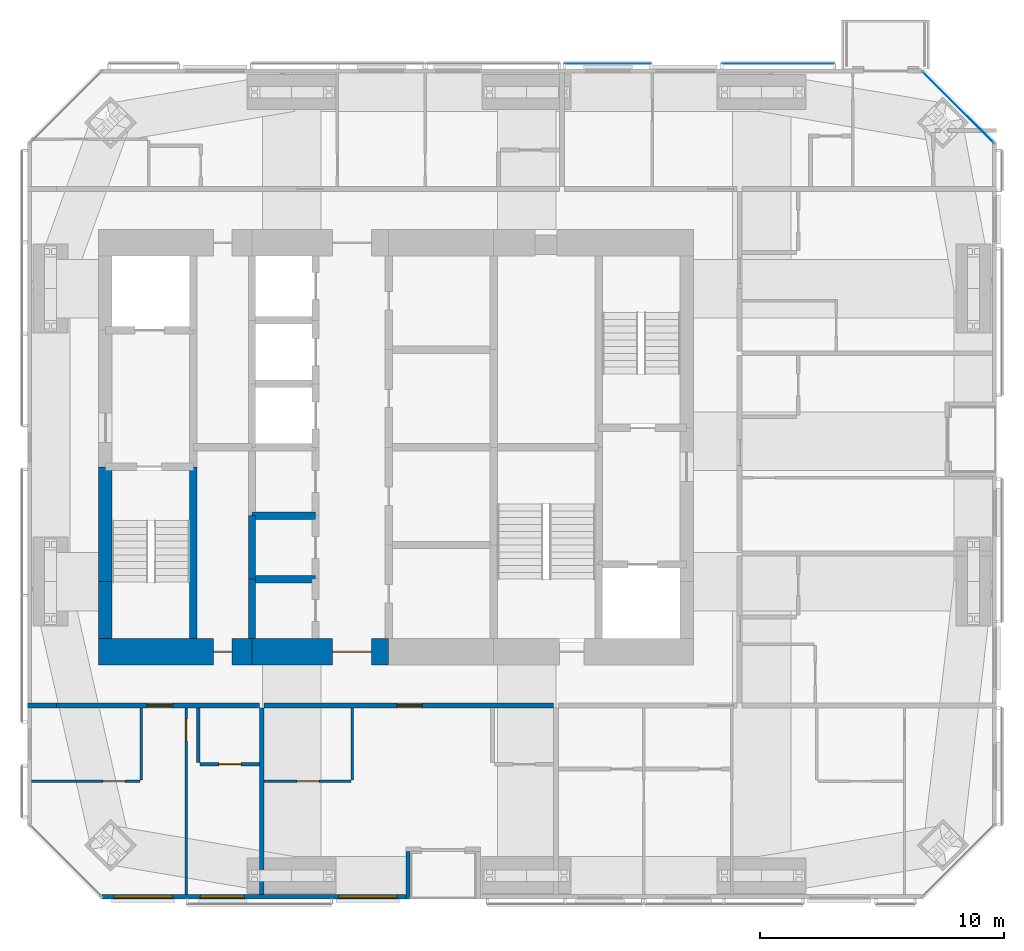
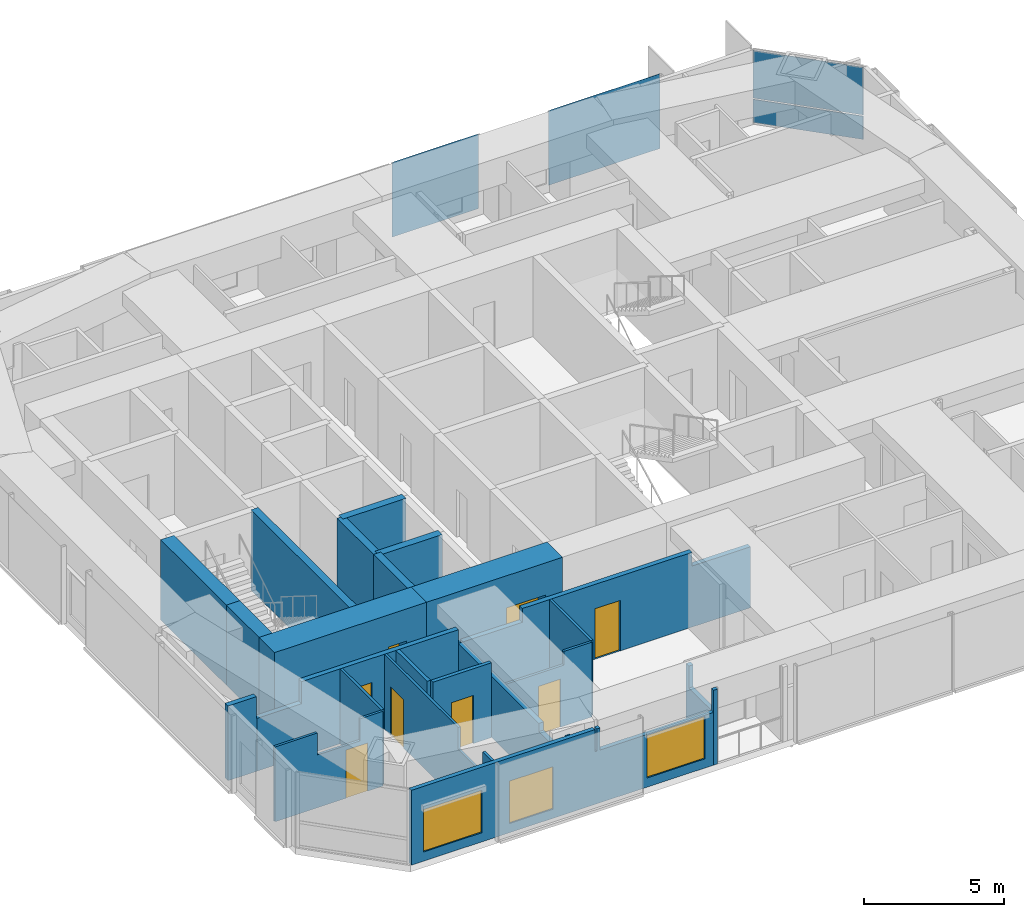
# One storey, part 13 of 19: 22 walls, 8 doors, 4 plates, 3 windows, 11 openings, 3 elements without a shape of their own.
"""IFC4 building model written with IfcOpenShell, lengths in metres."""

from ifc_helpers import new_model, si_unit, direction, frame, frame_2d, origin, origin_2d, place, context, subcontext, project, spatial, polyline, rectangle, outline, extrude, material, layer, layer_set, constituent, constituent_set, type_object, element, fill, aggregate, save


model = new_model("IFC4")

# Units and contexts
model_context = context("Model", 3, precision=1e-05, world=origin(), true_north=direction((0.0, 1.0)))
body_context = subcontext(model_context, "Body", "Model", "MODEL_VIEW")
ifc_project = project(units=[si_unit("LENGTHUNIT", "METRE"), si_unit("AREAUNIT", "SQUARE_METRE"), si_unit("VOLUMEUNIT", "CUBIC_METRE"), si_unit("PLANEANGLEUNIT", "RADIAN"), si_unit("MASSUNIT", "GRAM", prefix="KILO")], contexts=[model_context])

# Site, building, storey
site_placement = place(None, origin())
site = spatial("IfcSite", under=ifc_project, at=site_placement, CompositionType="ELEMENT")
building_placement = place(site_placement, origin())
building = spatial("IfcBuilding", under=site, at=building_placement, Name="Jalousie Tower", CompositionType="ELEMENT")
storey_placement = place(building_placement, frame((0.0, 0.0, 217.949951171875)))
storey = spatial("IfcBuildingStorey", under=building, at=storey_placement, Name="L59", CompositionType="ELEMENT", Elevation=217.949951171875)

# Curtain wall, plates
ifc_material_1 = material(Name="Aluminium curtain wall", Category="aluminium")
curtain_wall_type_1 = type_object("IfcCurtainWallType", Name="CORNER WINDOW WALL", PredefinedType="USERDEFINED", material=ifc_material_1)
curtain_wall_1_placement = place(storey_placement, origin())
curtain_wall_1 = element("IfcCurtainWall", 1, at=curtain_wall_1_placement, inside=storey, type_object=curtain_wall_type_1, Name="Corner Window Wall L59 4", ObjectType="CORNER WINDOW WALL", PredefinedType="USERDEFINED")
ifc_material_2 = material(Name="Laminated impact-rated spandrel glass", Category="glass")
ifc_layer_1 = layer(ifc_material_2, 0.028076171875)
ifc_layer_set_1 = layer_set([ifc_layer_1], Name="Laminated impact-rated spandrel glass")
plate_type_1 = type_object("IfcPlateType", Name="CORNER WINDOW WALL PANEL", PredefinedType="CURTAIN_PANEL", material=ifc_layer_set_1)
plate_1_placement = place(storey_placement, frame((54.9306640625, 32.4306640625, 0.06005859375), z_axis=(0.0, 0.0, 1.0), x_axis=(-0.707106781187, 0.707106781187, 0.0)))
plate_1 = element("IfcPlate", 2, at=plate_1_placement, type_object=plate_type_1, Name="CW-C panel 1.1", PredefinedType="CURTAIN_PANEL", context=body_context, shape_type="SweptSolid", body=[
    extrude(rectangle(XDim=4.071533203125, YDim=0.028076171875, at=origin_2d()), origin(), (0.0, 0.0, 1.0), 1.010009765625),
])
plate_2_placement = place(storey_placement, frame((54.9306640625, 32.4306640625, 1.1298828125), z_axis=(0.0, 0.0, 1.0), x_axis=(-0.707106781187, 0.707106781187, 0.0)))
plate_2 = element("IfcPlate", 3, at=plate_2_placement, type_object=plate_type_1, Name="CW-C panel 1.2", PredefinedType="CURTAIN_PANEL", context=body_context, shape_type="SweptSolid", body=[
    extrude(rectangle(XDim=4.071533203125, YDim=0.028076171875, at=origin_2d()), origin(), (0.0, 0.0, 1.0), 2.070068359375),
])
aggregate(curtain_wall_1, [plate_1, plate_2])

# Curtain wall, plate
ifc_material_3 = material(Name="Perforated aluminium sheet", Category="aluminium")
curtain_wall_type_2 = type_object("IfcCurtainWallType", Name="SOLAR SCREEN SS-2", PredefinedType="USERDEFINED", material=ifc_material_3)
curtain_wall_2_placement = place(storey_placement, origin())
curtain_wall_2 = element("IfcCurtainWall", 4, at=curtain_wall_2_placement, inside=storey, type_object=curtain_wall_type_2, Name="Solar screen L59", ObjectType="SOLAR SCREEN SS-2", PredefinedType="USERDEFINED")
ifc_material_4 = material(Name="Perforated aluminium sheet", Category="aluminium")
ifc_layer_2 = layer(ifc_material_4, 0.006103515625)
ifc_layer_set_2 = layer_set([ifc_layer_2], Name="Perforated aluminium sheet")
plate_type_2 = type_object("IfcPlateType", Name="SOLAR SCREEN SS-2 PANEL", PredefinedType="CURTAIN_PANEL", material=ifc_layer_set_2)
plate_3_placement = place(storey_placement, frame((47.54931640625, 34.201171875, 0.0), z_axis=(0.0, 0.0, 1.0), x_axis=(-1.0, 0.0, 0.0)))
plate_3 = element("IfcPlate", 5, at=plate_3_placement, type_object=plate_type_2, Name="SS2 perforated panel 1", PredefinedType="CURTAIN_PANEL", context=body_context, shape_type="SweptSolid", body=[
    extrude(rectangle(XDim=4.5986328125, YDim=0.006103515625, at=origin_2d()), origin(), (0.0, 0.0, 1.0), 3.260009765625),
])
aggregate(curtain_wall_2, [plate_3])

curtain_wall_3_placement = place(storey_placement, origin())
curtain_wall_3 = element("IfcCurtainWall", 6, at=curtain_wall_3_placement, inside=storey, type_object=curtain_wall_type_2, Name="Solar screen L59", ObjectType="SOLAR SCREEN SS-2", PredefinedType="USERDEFINED")
plate_4_placement = place(storey_placement, frame((40.574951171875, 34.201171875, 0.0), z_axis=(0.0, 0.0, 1.0), x_axis=(-1.0, 0.0, 0.0)))
plate_4 = element("IfcPlate", 7, at=plate_4_placement, type_object=plate_type_2, Name="SS2 perforated panel 1", PredefinedType="CURTAIN_PANEL", context=body_context, shape_type="SweptSolid", body=[
    extrude(rectangle(XDim=3.550048828125, YDim=0.006103515625, at=origin_2d()), origin(), (0.0, 0.0, 1.0), 3.260009765625),
])
aggregate(curtain_wall_3, [plate_4])

# Wall, opening, door
ifc_material_5 = material(Name="Concrete block ASTM C90", Category="concrete")
ifc_constituent_1 = constituent(ifc_material_5, Name="Body")
ifc_material_6 = material(Name="Render")
ifc_constituent_2 = constituent(ifc_material_6, Name="Finish")
ifc_constituent_set_1 = constituent_set(constituents=[ifc_constituent_1, ifc_constituent_2])
wall_type_1 = type_object("IfcWallType", Name="BATHROOM WALL 150", PredefinedType="PLUMBINGWALL", material=ifc_constituent_set_1)
wall_1_placement = place(storey_placement, frame((23.875, 5.52490234375, 0.0), z_axis=(0.0, 0.0, 1.0), x_axis=(1.0, 0.0, 0.0)))
wall_1 = element("IfcWall", 8, at=wall_1_placement, inside=storey, type_object=wall_type_1, Name="Bathroom Wall 150 L59", PredefinedType="PLUMBINGWALL", context=body_context, shape_type="SweptSolid", body=[
    extrude(rectangle(XDim=2.425048828125, YDim=0.14990234375, at=frame_2d((1.21240234375, 0.0))), origin(), (0.0, 0.0, 1.0), 3.260009765625),
])
opening_1_placement = place(wall_1_placement, frame((0.77490234375, 0.0, 0.0)))
opening_1 = element("IfcOpeningElement", 9, at=opening_1_placement, cuts=wall_1, Name="Opening D3", PredefinedType="OPENING", context=body_context, shape_type="SweptSolid", body=[
    extrude(rectangle(XDim=0.89990234375, YDim=2.10009765625, at=frame_2d((0.449951171875, 1.050048828125))), frame((0.0, 0.0849609375, 0.0), z_axis=(0.0, -1.0, 0.0), x_axis=(1.0, 0.0, 0.0)), (0.0, 0.0, 1.0), 0.169921875),
])
ifc_material_7 = material(Name="Timber door", Category="wood")
door_type_1 = type_object("IfcDoorType", Name="BATHROOM DOOR 900", OperationType="SINGLE_SWING_LEFT", PredefinedType="DOOR", material=ifc_material_7)
door_1_placement = place(opening_1_placement, origin())
door_1 = element("IfcDoor", 10, at=door_1_placement, inside=storey, type_object=door_type_1, Name="Apartment 5901 bathroom door", OperationType="SINGLE_SWING_RIGHT", OverallHeight=2.10009765625, OverallWidth=0.89990234375, PredefinedType="DOOR", context=body_context, shape_type="SweptSolid", body=[
    extrude(rectangle(XDim=0.89990234375, YDim=2.10009765625, at=frame_2d((0.449951171875, 1.050048828125))), frame((0.0, 0.02490234375, 0.0), z_axis=(0.0, -1.0, 0.0), x_axis=(1.0, 0.0, 0.0)), (0.0, 0.0, 1.0), 0.050048828125),
])
fill(opening_1, door_1)

# Wall
wall_2_placement = place(storey_placement, frame((23.800048828125, 5.60009765625, 0.0), z_axis=(0.0, 0.0, 1.0), x_axis=(0.0, 1.0, 0.0)))
element("IfcWall", 11, at=wall_2_placement, inside=storey, type_object=wall_type_1, Name="Bathroom Wall 150 L59", PredefinedType="PLUMBINGWALL", context=body_context, shape_type="SweptSolid", body=[
    extrude(rectangle(XDim=2.224853515625, YDim=0.14990234375, at=frame_2d((1.1123046875, 0.0))), origin(), (0.0, 0.0, 1.0), 3.260009765625),
])

# Wall, opening, door
ifc_material_8 = material(Name="Concrete f'c 120 MPa", Category="concrete")
ifc_layer_3 = layer(ifc_material_8, 1.10009765625)
ifc_layer_set_3 = layer_set([ifc_layer_3], Name="Concrete f'c 120 MPa")
wall_type_2 = type_object("IfcWallType", Name="CORE WALL 1100", PredefinedType="SHEAR", material=ifc_layer_set_3)
wall_3_placement = place(storey_placement, frame((19.72509765625, 10.125, 0.0), z_axis=(0.0, 0.0, 1.0), x_axis=(1.0, 0.0, 0.0)))
wall_3 = element("IfcWall", 12, at=wall_3_placement, inside=storey, type_object=wall_type_2, Name="Core wall SA L59", PredefinedType="SHEAR", context=body_context, shape_type="SweptSolid", body=[
    extrude(rectangle(XDim=6.27490234375, YDim=1.10009765625, at=frame_2d((3.137451171875, 0.0))), origin(), (0.0, 0.0, 1.0), 3.5),
])
opening_2_placement = place(wall_3_placement, frame((4.699951171875, 0.0, 0.0)))
opening_2 = element("IfcOpeningElement", 13, at=opening_2_placement, cuts=wall_3, Name="Opening D16", PredefinedType="OPENING", context=body_context, shape_type="SweptSolid", body=[
    extrude(rectangle(XDim=0.75, YDim=2.10009765625, at=frame_2d((0.375, 1.050048828125))), frame((0.0, 0.56005859375, 0.0), z_axis=(0.0, -1.0, 0.0), x_axis=(1.0, 0.0, 0.0)), (0.0, 0.0, 1.0), 1.1201171875),
])
ifc_material_9 = material(Name="Steel fire door", Category="steel")
door_type_2 = type_object("IfcDoorType", Name="RISER DOOR 750", OperationType="SINGLE_SWING_LEFT", PredefinedType="DOOR", material=ifc_material_9)
door_2_placement = place(opening_2_placement, origin())
door_2 = element("IfcDoor", 14, at=door_2_placement, inside=storey, type_object=door_type_2, Name="South riser door", OperationType="SINGLE_SWING_RIGHT", OverallHeight=2.10009765625, OverallWidth=0.75, PredefinedType="DOOR", context=body_context, shape_type="SweptSolid", body=[
    extrude(rectangle(XDim=0.75, YDim=2.10009765625, at=frame_2d((0.375, 1.050048828125))), frame((0.0, 0.02490234375, 0.0), z_axis=(0.0, -1.0, 0.0), x_axis=(1.0, 0.0, 0.0)), (0.0, 0.0, 1.0), 0.050048828125),
])
fill(opening_2, door_2)

wall_4_placement = place(storey_placement, frame((26.0, 10.125, 0.0), z_axis=(0.0, 0.0, 1.0), x_axis=(1.0, 0.0, 0.0)))
wall_4 = element("IfcWall", 15, at=wall_4_placement, inside=storey, type_object=wall_type_2, Name="Core wall SB L59", PredefinedType="SHEAR", context=body_context, shape_type="SweptSolid", body=[
    extrude(rectangle(XDim=5.60009765625, YDim=1.10009765625, at=frame_2d((2.800048828125, 0.0))), origin(), (0.0, 0.0, 1.0), 3.5),
])
opening_3_placement = place(wall_4_placement, frame((3.300048828125, 0.0, 0.0)))
opening_3 = element("IfcOpeningElement", 16, at=opening_3_placement, cuts=wall_4, Name="Opening D15", PredefinedType="OPENING", context=body_context, shape_type="SweptSolid", body=[
    extrude(rectangle(XDim=1.60009765625, YDim=2.10009765625, at=frame_2d((0.800048828125, 1.050048828125))), frame((0.0, 0.56005859375, 0.0), z_axis=(0.0, -1.0, 0.0), x_axis=(1.0, 0.0, 0.0)), (0.0, 0.0, 1.0), 1.1201171875),
])
ifc_material_10 = material(Name="Steel fire door", Category="steel")
door_type_3 = type_object("IfcDoorType", Name="LIFT LOBBY DOOR 1600", OperationType="DOUBLE_DOOR_SINGLE_SWING", PredefinedType="DOOR", material=ifc_material_10)
door_3_placement = place(opening_3_placement, origin())
door_3 = element("IfcDoor", 17, at=door_3_placement, inside=storey, type_object=door_type_3, Name="Lift lobby south door", OperationType="DOUBLE_DOOR_SINGLE_SWING", OverallHeight=2.10009765625, OverallWidth=1.60009765625, PredefinedType="DOOR", context=body_context, shape_type="SweptSolid", body=[
    extrude(rectangle(XDim=1.60009765625, YDim=2.10009765625, at=frame_2d((0.800048828125, 1.050048828125))), frame((0.0, 0.02490234375, 0.0), z_axis=(0.0, -1.0, 0.0), x_axis=(1.0, 0.0, 0.0)), (0.0, 0.0, 1.0), 0.050048828125),
])
fill(opening_3, door_3)

# Walls
ifc_material_11 = material(Name="Concrete f'c 120 MPa", Category="concrete")
ifc_layer_4 = layer(ifc_material_11, 0.300048828125)
ifc_layer_set_4 = layer_set([ifc_layer_4], Name="Concrete f'c 120 MPa")
wall_type_3 = type_object("IfcWallType", Name="CORE WALL 300", PredefinedType="SHEAR", material=ifc_layer_set_4)
wall_5_placement = place(storey_placement, frame((23.60009765625, 10.675048828125, 0.0), z_axis=(0.0, 0.0, 1.0), x_axis=(0.0, 1.0, 0.0)))
element("IfcWall", 18, at=wall_5_placement, inside=storey, type_object=wall_type_3, Name="Core wall X23.6A L59", PredefinedType="SHEAR", context=body_context, shape_type="SweptSolid", body=[
    extrude(rectangle(XDim=7.02490234375, YDim=0.300048828125, at=frame_2d((3.512451171875, 0.0))), origin(), (0.0, 0.0, 1.0), 3.5),
])
wall_6_placement = place(storey_placement, frame((26.0, 10.675048828125, 0.0), z_axis=(0.0, 0.0, 1.0), x_axis=(0.0, 1.0, 0.0)))
element("IfcWall", 19, at=wall_6_placement, inside=storey, type_object=wall_type_3, Name="Core wall X26A L59", PredefinedType="SHEAR", context=body_context, shape_type="SweptSolid", body=[
    extrude(rectangle(XDim=2.425048828125, YDim=0.300048828125, at=frame_2d((1.21240234375, 0.0))), origin(), (0.0, 0.0, 1.0), 3.5),
])
wall_7_placement = place(storey_placement, frame((26.0, 13.10009765625, 0.0), z_axis=(0.0, 0.0, 1.0), x_axis=(0.0, 1.0, 0.0)))
element("IfcWall", 20, at=wall_7_placement, inside=storey, type_object=wall_type_3, Name="Core wall X26B L59", PredefinedType="SHEAR", context=body_context, shape_type="SweptSolid", body=[
    extrude(rectangle(XDim=2.599853515625, YDim=0.300048828125, at=frame_2d((1.2998046875, 0.0))), origin(), (0.0, 0.0, 1.0), 3.5),
])
for number, where, z_axis, x_axis, name in (
    (21, (26.0, 13.10009765625, 0.0), (0.0, 0.0, 1.0), (1.0, 0.0, 0.0), "Core wall Y26-13.1 L59"),
    (22, (26.0, 15.699951171875, 0.0), (0.0, 0.0, 1.0), (1.0, 0.0, 0.0), "Core wall Y26-15.7 L59"),
):
    element("IfcWall", number, at=place(storey_placement, frame(where, z_axis=z_axis, x_axis=x_axis)), inside=storey, type_object=wall_type_3, Name=name, PredefinedType="SHEAR", context=body_context, shape_type="SweptSolid", body=[
        extrude(rectangle(XDim=2.60009765625, YDim=0.300048828125, at=frame_2d((1.300048828125, 0.0))), origin(), (0.0, 0.0, 1.0), 3.5),
    ])
ifc_material_12 = material(Name="Concrete f'c 120 MPa", Category="concrete")
ifc_layer_5 = layer(ifc_material_12, 0.550048828125)
ifc_layer_set_5 = layer_set([ifc_layer_5], Name="Concrete f'c 120 MPa")
wall_type_4 = type_object("IfcWallType", Name="CORE WALL 550", PredefinedType="SHEAR", material=ifc_layer_set_5)
wall_8_placement = place(storey_placement, frame((20.0, 17.699951171875, 0.0), z_axis=(0.0, 0.0, 1.0), x_axis=(0.0, -1.0, 0.0)))
element("IfcWall", 23, at=wall_8_placement, inside=storey, type_object=wall_type_4, Name="Core wall WC L59", PredefinedType="SHEAR", context=body_context, shape_type="SweptSolid", body=[
    extrude(rectangle(XDim=4.699951171875, YDim=0.550048828125, at=frame_2d((2.35009765625, 0.0))), origin(), (0.0, 0.0, 1.0), 3.5),
])
wall_9_placement = place(storey_placement, frame((20.0, 13.0, 0.0), z_axis=(0.0, 0.0, 1.0), x_axis=(0.0, -1.0, 0.0)))
element("IfcWall", 24, at=wall_9_placement, inside=storey, type_object=wall_type_4, Name="Core wall WD L59", PredefinedType="SHEAR", context=body_context, shape_type="SweptSolid", body=[
    extrude(rectangle(XDim=2.324951171875, YDim=0.550048828125, at=frame_2d((1.16259765625, 0.0))), origin(), (0.0, 0.0, 1.0), 3.5),
])

# Wall, opening, door
ifc_material_13 = material(Name="Concrete block ASTM C90", Category="concrete")
ifc_constituent_3 = constituent(ifc_material_13, Name="Body")
ifc_material_14 = material(Name="Render")
ifc_constituent_4 = constituent(ifc_material_14, Name="Finish")
ifc_constituent_set_2 = constituent_set(constituents=[ifc_constituent_3, ifc_constituent_4])
wall_type_5 = type_object("IfcWallType", Name="CORRIDOR WALL 200", PredefinedType="PARTITIONING", material=ifc_constituent_set_2)
wall_10_placement = place(storey_placement, frame((18.0, 7.925048828125, 0.0), z_axis=(0.0, 0.0, 1.0), x_axis=(1.0, 0.0, 0.0)))
wall_10 = element("IfcWall", 25, at=wall_10_placement, inside=storey, type_object=wall_type_5, Name="Corridor Wall 200 L59", PredefinedType="PARTITIONING", context=body_context, shape_type="SweptSolid", body=[
    extrude(outline(polyline([(0.0, 0.0), (8.300048828125, 0.0), (8.300048828125, 3.260009765625), (1.838623046875, 3.260009765625), (1.838623046875, 2.300048828125), (0.0, 2.300048828125), (0.0, 3.260009765625), (0.0, 0.0)])), frame((0.0, 0.10009765625, 0.0), z_axis=(0.0, -1.0, 0.0), x_axis=(1.0, 0.0, 0.0)), (0.0, 0.0, 1.0), 0.199951171875),
])
opening_4_placement = place(wall_10_placement, frame((3.699951171875, 0.0, 0.0)))
opening_4 = element("IfcOpeningElement", 26, at=opening_4_placement, cuts=wall_10, Name="Opening D1", PredefinedType="OPENING", context=body_context, shape_type="SweptSolid", body=[
    extrude(rectangle(XDim=1.050048828125, YDim=2.199951171875, at=frame_2d((0.52490234375, 1.10009765625))), frame((0.0, 0.10986328125, 0.0), z_axis=(0.0, -1.0, 0.0), x_axis=(1.0, 0.0, 0.0)), (0.0, 0.0, 1.0), 0.219970703125),
])
ifc_material_15 = material(Name="Timber fire door", Category="wood")
door_type_4 = type_object("IfcDoorType", Name="APARTMENT ENTRANCE DOOR 1050", OperationType="SINGLE_SWING_LEFT", PredefinedType="DOOR", material=ifc_material_15)
door_4_placement = place(opening_4_placement, frame((1.050048828125, 0.0, 0.0), z_axis=(0.0, 0.0, 1.0), x_axis=(-1.0, 0.0, 0.0)))
door_4 = element("IfcDoor", 27, at=door_4_placement, inside=storey, type_object=door_type_4, Name="Apartment 5901 entrance", OperationType="SINGLE_SWING_RIGHT", OverallHeight=2.199951171875, OverallWidth=1.050048828125, PredefinedType="DOOR", context=body_context, shape_type="SweptSolid", body=[
    extrude(rectangle(XDim=1.050048828125, YDim=2.199951171875, at=frame_2d((0.52490234375, 1.10009765625))), frame((0.0, 0.02490234375, 0.0), z_axis=(0.0, -1.0, 0.0), x_axis=(1.0, 0.0, 0.0)), (0.0, 0.0, 1.0), 0.050048828125),
])
fill(opening_4, door_4)

wall_11_placement = place(storey_placement, frame((26.5, 7.925048828125, 0.0), z_axis=(0.0, 0.0, 1.0), x_axis=(1.0, 0.0, 0.0)))
wall_11 = element("IfcWall", 28, at=wall_11_placement, inside=storey, type_object=wall_type_5, Name="Corridor Wall 200 L59", PredefinedType="PARTITIONING", context=body_context, shape_type="SweptSolid", body=[
    extrude(outline(polyline([(0.0, 0.0), (11.85009765625, 0.0), (11.85009765625, 3.260009765625), (11.85009765625, 2.66015625), (9.43994140625, 2.66015625), (9.43994140625, 3.260009765625), (2.43505859375, 3.260009765625), (2.43505859375, 2.66015625), (0.0, 2.66015625), (0.0, 3.260009765625), (0.0, 0.0)])), frame((0.0, 0.10009765625, 0.0), z_axis=(0.0, -1.0, 0.0), x_axis=(1.0, 0.0, 0.0)), (0.0, 0.0, 1.0), 0.199951171875),
])
opening_5_placement = place(wall_11_placement, frame((5.425048828125, 0.0, 0.0)))
opening_5 = element("IfcOpeningElement", 29, at=opening_5_placement, cuts=wall_11, Name="Opening D1", PredefinedType="OPENING", context=body_context, shape_type="SweptSolid", body=[
    extrude(rectangle(XDim=1.050048828125, YDim=2.199951171875, at=frame_2d((0.52490234375, 1.10009765625))), frame((0.0, 0.10986328125, 0.0), z_axis=(0.0, -1.0, 0.0), x_axis=(1.0, 0.0, 0.0)), (0.0, 0.0, 1.0), 0.219970703125),
])
door_5_placement = place(opening_5_placement, frame((1.050048828125, 0.0, 0.0), z_axis=(0.0, 0.0, 1.0), x_axis=(-1.0, 0.0, 0.0)))
door_5 = element("IfcDoor", 30, at=door_5_placement, inside=storey, type_object=door_type_4, Name="Apartment 5902 entrance", OperationType="SINGLE_SWING_RIGHT", OverallHeight=2.199951171875, OverallWidth=1.050048828125, PredefinedType="DOOR", context=body_context, shape_type="SweptSolid", body=[
    extrude(rectangle(XDim=1.050048828125, YDim=2.199951171875, at=frame_2d((0.52490234375, 1.10009765625))), frame((0.0, 0.02490234375, 0.0), z_axis=(0.0, -1.0, 0.0), x_axis=(1.0, 0.0, 0.0)), (0.0, 0.0, 1.0), 0.050048828125),
])
fill(opening_5, door_5)

# Wall, openings, windows
ifc_material_16 = material(Name="Concrete f'c 40 MPa", Category="concrete")
ifc_constituent_5 = constituent(ifc_material_16, Name="Body")
ifc_material_17 = material(Name="Render, pastel sky blue")
ifc_constituent_6 = constituent(ifc_material_17, Name="Finish")
ifc_constituent_set_3 = constituent_set(constituents=[ifc_constituent_5, ifc_constituent_6])
wall_type_6 = type_object("IfcWallType", Name="EXTERNAL WALL 175 SKY BLUE RENDER", PredefinedType="SOLIDWALL", material=ifc_constituent_set_3)
wall_12_placement = place(storey_placement, frame((19.851318359375, 0.08740234375, 0.0), z_axis=(0.0, 0.0, 1.0), x_axis=(1.0, 0.0, 0.0)))
wall_12 = element("IfcWall", 31, at=wall_12_placement, inside=storey, type_object=wall_type_6, Name="External Wall 175 Sky Blue Render L59", PredefinedType="SOLIDWALL", context=body_context, shape_type="SweptSolid", body=[
    extrude(outline(polyline([(0.0, 0.0), (12.44873046875, 0.0), (12.44873046875, 2.300048828125), (7.773681640625, 2.300048828125), (7.773681640625, 3.260009765625), (7.642333984375, 3.260009765625), (7.642333984375, 2.300048828125), (7.558837890625, 2.300048828125), (7.558837890625, 3.260009765625), (0.0, 3.260009765625), (0.0, 0.0)])), frame((0.0, 0.08740234375, 0.0), z_axis=(0.0, -1.0, 0.0), x_axis=(1.0, 0.0, 0.0)), (0.0, 0.0, 1.0), 0.175048828125),
])
opening_6_placement = place(wall_12_placement, frame((0.49951171875, 0.0, 0.39990234375)))
opening_6 = element("IfcOpeningElement", 32, at=opening_6_placement, cuts=wall_12, Name="Opening W-LIV185", PredefinedType="OPENING", context=body_context, shape_type="SweptSolid", body=[
    extrude(rectangle(XDim=2.39990234375, YDim=1.85009765625, at=frame_2d((1.199951171875, 0.925048828125))), frame((0.0, 0.097412109375, 0.0), z_axis=(0.0, -1.0, 0.0), x_axis=(1.0, 0.0, 0.0)), (0.0, 0.0, 1.0), 0.195068359375),
])
opening_7_placement = place(wall_12_placement, frame((4.0400390625, 0.0, 0.39990234375)))
opening_7 = element("IfcOpeningElement", 33, at=opening_7_placement, cuts=wall_12, Name="Opening W-BED185", PredefinedType="OPENING", context=body_context, shape_type="SweptSolid", body=[
    extrude(rectangle(XDim=1.800048828125, YDim=1.85009765625, at=frame_2d((0.89990234375, 0.925048828125))), frame((0.0, 0.097412109375, 0.0), z_axis=(0.0, -1.0, 0.0), x_axis=(1.0, 0.0, 0.0)), (0.0, 0.0, 1.0), 0.195068359375),
])
opening_8_placement = place(wall_12_placement, frame((9.69873046875, 0.0, 0.39990234375)))
opening_8 = element("IfcOpeningElement", 34, at=opening_8_placement, cuts=wall_12, Name="Opening W-LIV185", PredefinedType="OPENING", context=body_context, shape_type="SweptSolid", body=[
    extrude(rectangle(XDim=2.39990234375, YDim=1.85009765625, at=frame_2d((1.199951171875, 0.925048828125))), frame((0.0, 0.097412109375, 0.0), z_axis=(0.0, -1.0, 0.0), x_axis=(1.0, 0.0, 0.0)), (0.0, 0.0, 1.0), 0.195068359375),
])
ifc_material_18 = material(Name="Aluminium frame, impact-rated glazing", Category="aluminium")
window_type_1 = type_object("IfcWindowType", Name="WINDOW BED 1800x1850", PartitioningType="SINGLE_PANEL", PredefinedType="WINDOW", material=ifc_material_18)
window_1_placement = place(opening_7_placement, origin())
window_1 = element("IfcWindow", 35, at=window_1_placement, inside=storey, type_object=window_type_1, Name="Apartment 5901 study window", OverallHeight=1.85009765625, OverallWidth=1.800048828125, PartitioningType="SINGLE_PANEL", PredefinedType="WINDOW", context=body_context, shape_type="SweptSolid", body=[
    extrude(rectangle(XDim=1.800048828125, YDim=1.85009765625, at=frame_2d((0.89990234375, 0.925048828125))), frame((0.0, 0.030029296875, 0.0), z_axis=(0.0, -1.0, 0.0), x_axis=(1.0, 0.0, 0.0)), (0.0, 0.0, 1.0), 0.06005859375),
])
fill(opening_7, window_1)
ifc_material_19 = material(Name="Aluminium frame, impact-rated glazing", Category="aluminium")
window_type_2 = type_object("IfcWindowType", Name="WINDOW LIV 2400x1850", PartitioningType="DOUBLE_PANEL_VERTICAL", PredefinedType="WINDOW", material=ifc_material_19)
window_2_placement = place(opening_6_placement, origin())
window_2 = element("IfcWindow", 36, at=window_2_placement, inside=storey, type_object=window_type_2, Name="Apartment 5901 studio living and sleeping room window", OverallHeight=1.85009765625, OverallWidth=2.39990234375, PartitioningType="SINGLE_PANEL", PredefinedType="WINDOW", context=body_context, shape_type="SweptSolid", body=[
    extrude(rectangle(XDim=2.39990234375, YDim=1.85009765625, at=frame_2d((1.199951171875, 0.925048828125))), frame((0.0, 0.030029296875, 0.0), z_axis=(0.0, -1.0, 0.0), x_axis=(1.0, 0.0, 0.0)), (0.0, 0.0, 1.0), 0.06005859375),
])
fill(opening_6, window_2)
window_3_placement = place(opening_8_placement, origin())
window_3 = element("IfcWindow", 37, at=window_3_placement, inside=storey, type_object=window_type_2, Name="Apartment 5902 studio living and sleeping room window", OverallHeight=1.85009765625, OverallWidth=2.39990234375, PartitioningType="SINGLE_PANEL", PredefinedType="WINDOW", context=body_context, shape_type="SweptSolid", body=[
    extrude(rectangle(XDim=2.39990234375, YDim=1.85009765625, at=frame_2d((1.199951171875, 0.925048828125))), frame((0.0, 0.030029296875, 0.0), z_axis=(0.0, -1.0, 0.0), x_axis=(1.0, 0.0, 0.0)), (0.0, 0.0, 1.0), 0.06005859375),
])
fill(opening_8, window_3)

# Wall
wall_13_placement = place(storey_placement, frame((32.387451171875, 0.0, 0.0), z_axis=(0.0, 0.0, 1.0), x_axis=(0.0, 1.0, 0.0)))
element("IfcWall", 38, at=wall_13_placement, inside=storey, type_object=wall_type_6, Name="External Wall 175 Sky Blue Render L59", PredefinedType="SOLIDWALL", context=body_context, shape_type="SweptSolid", body=[
    extrude(outline(polyline([(0.0, 0.0), (1.949951171875, 0.0), (1.949951171875, 3.260009765625), (1.75, 3.260009765625), (1.75, 2.300048828125), (0.14990234375, 2.300048828125), (0.14990234375, 3.260009765625), (0.0, 3.260009765625), (0.0, 0.0)])), frame((0.0, 0.08740234375, 0.0), z_axis=(0.0, -1.0, 0.0), x_axis=(1.0, 0.0, 0.0)), (0.0, 0.0, 1.0), 0.175048828125),
])

# Wall, opening, door
ifc_material_20 = material(Name="Gypsum board", Category="gypsum")
ifc_constituent_7 = constituent(ifc_material_20, Name="Body")
ifc_material_21 = material(Name="Light-gauge steel studs ASTM A653 SS Grade 33", Category="steel")
ifc_constituent_8 = constituent(ifc_material_21, Name="Framing")
ifc_constituent_set_4 = constituent_set(constituents=[ifc_constituent_7, ifc_constituent_8])
wall_type_7 = type_object("IfcWallType", Name="PARTITION 100", PredefinedType="PARTITIONING", material=ifc_constituent_set_4)
wall_14_placement = place(storey_placement, frame((23.300048828125, 0.175048828125, 0.0), z_axis=(0.0, 0.0, 1.0), x_axis=(0.0, 1.0, 0.0)))
wall_14 = element("IfcWall", 39, at=wall_14_placement, inside=storey, type_object=wall_type_7, Name="Partition 100 L59", PredefinedType="PARTITIONING", context=body_context, shape_type="SweptSolid", body=[
    extrude(outline(polyline([(0.0, 0.0), (7.64990234375, 0.0), (7.64990234375, 3.260009765625), (2.380126953125, 3.260009765625), (2.380126953125, 2.300048828125), (0.6357421875, 2.300048828125), (0.6357421875, 3.260009765625), (0.0, 3.260009765625), (0.0, 0.0)])), frame((0.0, 0.050048828125, 0.0), z_axis=(0.0, -1.0, 0.0), x_axis=(1.0, 0.0, 0.0)), (0.0, 0.0, 1.0), 0.10009765625),
])
opening_9_placement = place(wall_14_placement, frame((6.300048828125, 0.0, 0.0)))
opening_9 = element("IfcOpeningElement", 40, at=opening_9_placement, cuts=wall_14, Name="Opening D2", PredefinedType="OPENING", context=body_context, shape_type="SweptSolid", body=[
    extrude(rectangle(XDim=0.89990234375, YDim=2.10009765625, at=frame_2d((0.449951171875, 1.050048828125))), frame((0.0, 0.06005859375, 0.0), z_axis=(0.0, -1.0, 0.0), x_axis=(1.0, 0.0, 0.0)), (0.0, 0.0, 1.0), 0.1201171875),
])
ifc_material_22 = material(Name="Timber door", Category="wood")
door_type_5 = type_object("IfcDoorType", Name="BEDROOM DOOR 900", OperationType="SINGLE_SWING_LEFT", PredefinedType="DOOR", material=ifc_material_22)
door_6_placement = place(opening_9_placement, origin())
door_6 = element("IfcDoor", 41, at=door_6_placement, inside=storey, type_object=door_type_5, Name="Apartment 5901 study door", OperationType="SINGLE_SWING_RIGHT", OverallHeight=2.10009765625, OverallWidth=0.89990234375, PredefinedType="DOOR", context=body_context, shape_type="SweptSolid", body=[
    extrude(rectangle(XDim=0.89990234375, YDim=2.10009765625, at=frame_2d((0.449951171875, 1.050048828125))), frame((0.0, 0.02490234375, 0.0), z_axis=(0.0, -1.0, 0.0), x_axis=(1.0, 0.0, 0.0)), (0.0, 0.0, 1.0), 0.050048828125),
])
fill(opening_9, door_6)

wall_15_placement = place(storey_placement, frame((16.97509765625, 4.824951171875, 0.0), z_axis=(0.0, 0.0, 1.0), x_axis=(1.0, 0.0, 0.0)))
wall_15 = element("IfcWall", 42, at=wall_15_placement, inside=storey, type_object=wall_type_7, Name="Partition 100 L59", PredefinedType="PARTITIONING", context=body_context, shape_type="SweptSolid", body=[
    extrude(outline(polyline([(0.0, 0.0), (4.449951171875, 0.0), (4.449951171875, 3.260009765625), (3.51806640625, 3.260009765625), (3.51806640625, 2.300048828125), (1.754150390625, 2.300048828125), (1.754150390625, 3.260009765625), (0.0, 3.260009765625), (0.0, 0.0)])), frame((0.0, 0.050048828125, 0.0), z_axis=(0.0, -1.0, 0.0), x_axis=(1.0, 0.0, 0.0)), (0.0, 0.0, 1.0), 0.10009765625),
])
opening_10_placement = place(wall_15_placement, frame((2.925048828125, 0.0, 0.0)))
opening_10 = element("IfcOpeningElement", 43, at=opening_10_placement, cuts=wall_15, Name="Opening D7", PredefinedType="OPENING", context=body_context, shape_type="SweptSolid", body=[
    extrude(rectangle(XDim=0.89990234375, YDim=2.10009765625, at=frame_2d((0.449951171875, 1.050048828125))), frame((0.0, 0.06005859375, 0.0), z_axis=(0.0, -1.0, 0.0), x_axis=(1.0, 0.0, 0.0)), (0.0, 0.0, 1.0), 0.1201171875),
])
ifc_material_23 = material(Name="Timber door", Category="wood")
door_type_6 = type_object("IfcDoorType", Name="INTERNAL DOOR 900", OperationType="SINGLE_SWING_LEFT", PredefinedType="DOOR", material=ifc_material_23)
door_7_placement = place(opening_10_placement, origin())
door_7 = element("IfcDoor", 44, at=door_7_placement, inside=storey, type_object=door_type_6, Name="Apartment 5901 kitchen door", OperationType="SINGLE_SWING_RIGHT", OverallHeight=2.10009765625, OverallWidth=0.89990234375, PredefinedType="DOOR", context=body_context, shape_type="SweptSolid", body=[
    extrude(rectangle(XDim=0.89990234375, YDim=2.10009765625, at=frame_2d((0.449951171875, 1.050048828125))), frame((0.0, 0.02490234375, 0.0), z_axis=(0.0, -1.0, 0.0), x_axis=(1.0, 0.0, 0.0)), (0.0, 0.0, 1.0), 0.050048828125),
])
fill(opening_10, door_7)

# Wall
wall_16_placement = place(storey_placement, frame((21.47509765625, 4.875, 0.0), z_axis=(0.0, 0.0, 1.0), x_axis=(0.0, 1.0, 0.0)))
element("IfcWall", 45, at=wall_16_placement, inside=storey, type_object=wall_type_7, Name="Partition 100 L59", PredefinedType="PARTITIONING", context=body_context, shape_type="SweptSolid", body=[
    extrude(rectangle(XDim=2.949951171875, YDim=0.10009765625, at=frame_2d((1.47509765625, 0.0))), origin(), (0.0, 0.0, 1.0), 3.260009765625),
])

# Wall, opening, door
wall_17_placement = place(storey_placement, frame((26.5, 4.824951171875, 0.0), z_axis=(0.0, 0.0, 1.0), x_axis=(1.0, 0.0, 0.0)))
wall_17 = element("IfcWall", 46, at=wall_17_placement, inside=storey, type_object=wall_type_7, Name="Partition 100 L59", PredefinedType="PARTITIONING", context=body_context, shape_type="SweptSolid", body=[
    extrude(outline(polyline([(0.0, 0.0), (3.550048828125, 0.0), (3.550048828125, 3.260009765625), (2.385009765625, 3.260009765625), (2.385009765625, 2.66015625), (0.0, 2.66015625), (0.0, 3.260009765625), (0.0, 0.0)])), frame((0.0, 0.050048828125, 0.0), z_axis=(0.0, -1.0, 0.0), x_axis=(1.0, 0.0, 0.0)), (0.0, 0.0, 1.0), 0.10009765625),
])
opening_11_placement = place(wall_17_placement, frame((1.35009765625, 0.0, 0.0)))
opening_11 = element("IfcOpeningElement", 47, at=opening_11_placement, cuts=wall_17, Name="Opening D7", PredefinedType="OPENING", context=body_context, shape_type="SweptSolid", body=[
    extrude(rectangle(XDim=0.89990234375, YDim=2.10009765625, at=frame_2d((0.449951171875, 1.050048828125))), frame((0.0, 0.06005859375, 0.0), z_axis=(0.0, -1.0, 0.0), x_axis=(1.0, 0.0, 0.0)), (0.0, 0.0, 1.0), 0.1201171875),
])
door_8_placement = place(opening_11_placement, origin())
door_8 = element("IfcDoor", 48, at=door_8_placement, inside=storey, type_object=door_type_6, Name="Apartment 5902 kitchen door", OperationType="SINGLE_SWING_RIGHT", OverallHeight=2.10009765625, OverallWidth=0.89990234375, PredefinedType="DOOR", context=body_context, shape_type="SweptSolid", body=[
    extrude(rectangle(XDim=0.89990234375, YDim=2.10009765625, at=frame_2d((0.449951171875, 1.050048828125))), frame((0.0, 0.02490234375, 0.0), z_axis=(0.0, -1.0, 0.0), x_axis=(1.0, 0.0, 0.0)), (0.0, 0.0, 1.0), 0.050048828125),
])
fill(opening_11, door_8)

# Walls
wall_18_placement = place(storey_placement, frame((30.10009765625, 4.875, 0.0), z_axis=(0.0, 0.0, 1.0), x_axis=(0.0, 1.0, 0.0)))
element("IfcWall", 49, at=wall_18_placement, inside=storey, type_object=wall_type_7, Name="Partition 100 L59", PredefinedType="PARTITIONING", context=body_context, shape_type="SweptSolid", body=[
    extrude(rectangle(XDim=2.949951171875, YDim=0.10009765625, at=frame_2d((1.47509765625, 0.0))), origin(), (0.0, 0.0, 1.0), 3.260009765625),
])
ifc_material_24 = material(Name="Concrete block ASTM C90", Category="concrete")
ifc_constituent_9 = constituent(ifc_material_24, Name="Body")
ifc_material_25 = material(Name="Render")
ifc_constituent_10 = constituent(ifc_material_25, Name="Finish")
ifc_constituent_set_5 = constituent_set(constituents=[ifc_constituent_9, ifc_constituent_10])
wall_type_8 = type_object("IfcWallType", Name="PARTY WALL 200", PredefinedType="PARTITIONING", material=ifc_constituent_set_5)
wall_19_placement = place(storey_placement, frame((26.39990234375, 0.175048828125, 0.0), z_axis=(0.0, 0.0, 1.0), x_axis=(0.0, 1.0, 0.0)))
element("IfcWall", 50, at=wall_19_placement, inside=storey, type_object=wall_type_8, Name="Party Wall 200 L59", PredefinedType="PARTITIONING", context=body_context, shape_type="SweptSolid", body=[
    extrude(outline(polyline([(0.0595703125, 3.260009765625), (0.0, 3.260009765625), (0.0, 0.0), (0.52880859375, 0.0), (0.52880859375, 0.1904296875), (1.021240234375, 0.1904296875), (1.021240234375, 0.0), (7.64990234375, 0.0), (7.64990234375, 2.66015625), (1.905517578125, 2.66015625), (1.905517578125, 2.300048828125), (1.021240234375, 2.300048828125), (1.021240234375, 1.959716796875), (0.52880859375, 1.959716796875), (0.52880859375, 2.300048828125), (0.0595703125, 2.300048828125), (0.0595703125, 3.260009765625)])), frame((0.0, 0.10009765625, 0.0), z_axis=(0.0, -1.0, 0.0), x_axis=(1.0, 0.0, 0.0)), (0.0, 0.0, 1.0), 0.199951171875),
])
wall_20_placement = place(storey_placement, frame((16.800048828125, 7.925048828125, 0.0), z_axis=(0.0, 0.0, 1.0), x_axis=(1.0, 0.0, 0.0)))
element("IfcWall", 51, at=wall_20_placement, inside=storey, type_object=wall_type_8, Name="Party Wall 200 L59", PredefinedType="PARTITIONING", context=body_context, shape_type="SweptSolid", body=[
    extrude(outline(polyline([(0.0, 0.0), (1.199951171875, 0.0), (1.199951171875, 3.260009765625), (1.199951171875, 2.300048828125), (1.172119140625, 2.300048828125), (1.172119140625, 3.260009765625), (0.0, 3.260009765625), (0.0, 0.0)])), frame((0.0, 0.10009765625, 0.0), z_axis=(0.0, -1.0, 0.0), x_axis=(1.0, 0.0, 0.0)), (0.0, 0.0, 1.0), 0.199951171875),
])

save(model, "model.ifc")
